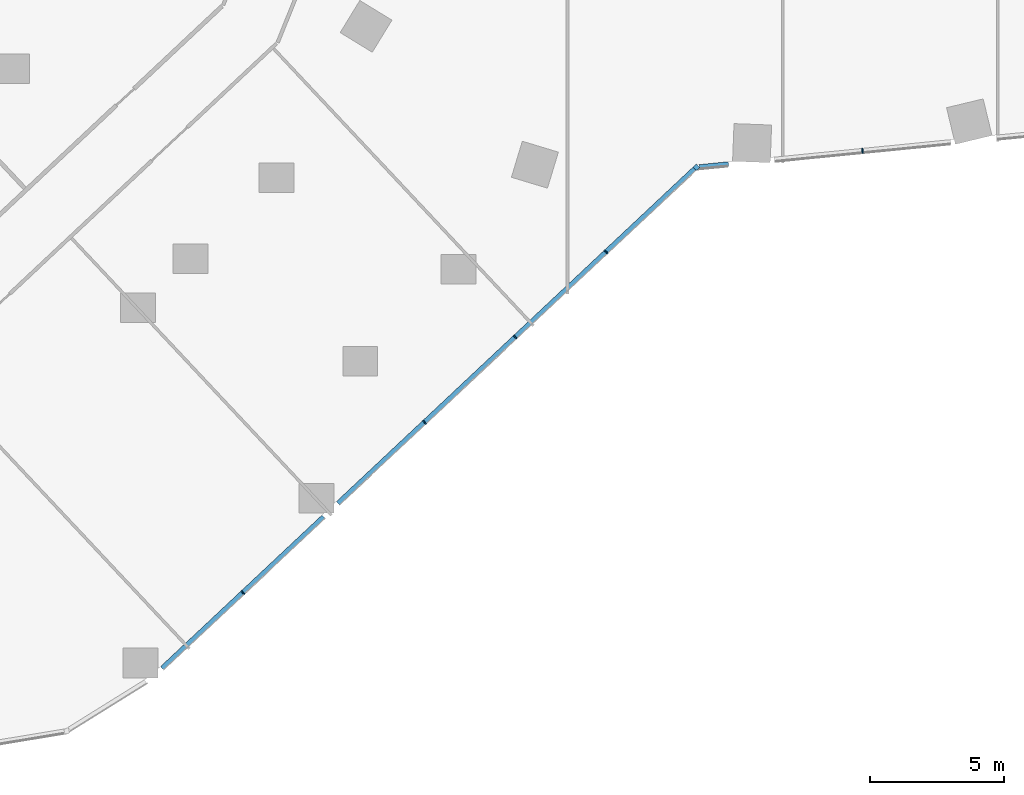
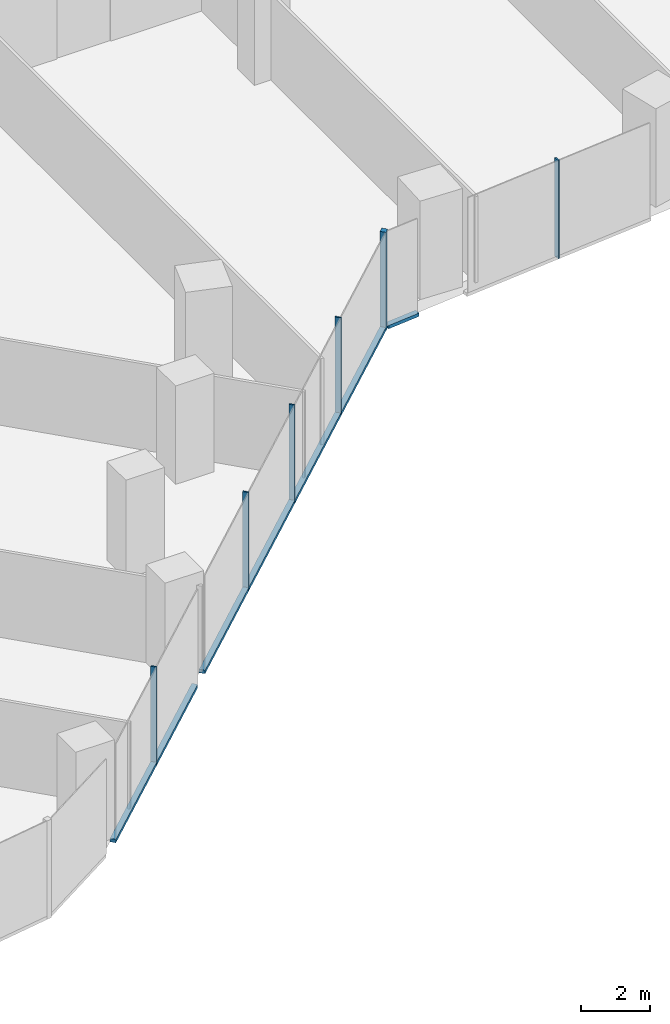
# One storey, part 4 of 34: 9 members, 2 elements without a shape of their own.
"""IFC4 building model written with IfcOpenShell, lengths in metres."""

import ifcopenshell
import ifcopenshell.guid

model = None  # the IFC model being written
_history = None  # IfcOwnerHistory: only IFC2X3 demands one
_inside = {}  # id of a spatial element -> (the spatial element, [elements in it])
_under = {}  # id of a project, library or spatial element -> (it, [spatial elements below it])
_declared = {}  # id of a project -> (the project, [libraries it declares])
_typed = {}  # id of a type object -> (the type object, [elements of that type])
_made_of = {}  # id of a material, layer set ... -> (it, [elements and type objects made of it])


def new_model(schema):
    """Start an empty IFC model of exactly this schema.

    Asked for "IFC4X3", IfcOpenShell would pick the latest addendum, in which some entities
    have other attributes; the version numbers below select the first issue.
    IFC2X3 requires an IfcOwnerHistory on every rooted entity: one is made here for all.
    """
    global model, _history
    if schema == "IFC4X3":
        model = ifcopenshell.file(schema_version=(4, 3, 0, 0))
    else:
        model = ifcopenshell.file(schema=schema)
    _inside.clear()
    _under.clear()
    _declared.clear()
    _typed.clear()
    _made_of.clear()
    _history = None
    if model.schema == "IFC2X3":
        org = make("IfcOrganization", Name="unknown")
        user = make(
            "IfcPersonAndOrganization",
            ThePerson=make("IfcPerson", FamilyName="unknown"),
            TheOrganization=org,
        )
        app = make(
            "IfcApplication",
            ApplicationDeveloper=org,
            Version="unknown",
            ApplicationFullName="unknown",
            ApplicationIdentifier="unknown",
        )
        _history = make(
            "IfcOwnerHistory",
            OwningUser=user,
            OwningApplication=app,
            ChangeAction="ADDED",
            CreationDate=0,
        )
    return model


def make(cls, **values):
    """One entity of the class cls with the attributes given. An attribute that is None is left unset."""
    return model.create_entity(
        cls, **{name: value for name, value in values.items() if value is not None}
    )


def rooted(cls, **values):
    """An entity with a GlobalId (a new one), such as an element, a storey or a relation."""
    return make(cls, GlobalId=ifcopenshell.guid.new(), OwnerHistory=_history, **values)


def si_unit(unit_type, name, prefix=None):
    """IfcSIUnit, for example si_unit("LENGTHUNIT", "METRE", prefix="MILLI")."""
    return make("IfcSIUnit", UnitType=unit_type, Prefix=prefix, Name=name)


def assignment(units):
    """IfcUnitAssignment: the units of a project."""
    return None if units is None else make("IfcUnitAssignment", Units=units)


def point(xyz):
    """IfcCartesianPoint."""
    return None if xyz is None else make("IfcCartesianPoint", Coordinates=xyz)


def direction(xyz):
    """IfcDirection."""
    return None if xyz is None else make("IfcDirection", DirectionRatios=xyz)


def frame(location, z_axis=None, x_axis=None):
    """IfcAxis2Placement3D, a coordinate frame: its origin and axes. An axis left out is left unset."""
    return make(
        "IfcAxis2Placement3D",
        Location=point(location),
        Axis=direction(z_axis),
        RefDirection=direction(x_axis),
    )


def frame_2d(location, x_axis=None):
    """IfcAxis2Placement2D, a coordinate frame in the plane: its origin and x axis."""
    return make(
        "IfcAxis2Placement2D", Location=point(location), RefDirection=direction(x_axis)
    )


def origin():
    """The frame at (0, 0, 0) with its axes left unset."""
    return frame((0.0, 0.0, 0.0))


def origin_2d():
    """The frame at (0, 0) in the plane with its x axis left unset."""
    return frame_2d((0.0, 0.0))


def place(relative_to, where):
    """IfcLocalPlacement: puts the frame where relative to a parent placement (None: the world)."""
    return make(
        "IfcLocalPlacement", PlacementRelTo=relative_to, RelativePlacement=where
    )


def context(
    kind, dimensions, precision=None, world=None, true_north=None, identifier=None
):
    """IfcGeometricRepresentationContext, for example the 3D "Model" context."""
    return make(
        "IfcGeometricRepresentationContext",
        ContextIdentifier=identifier,
        ContextType=kind,
        CoordinateSpaceDimension=dimensions,
        Precision=precision,
        WorldCoordinateSystem=world,
        TrueNorth=true_north,
    )


def subcontext(parent, identifier, kind, view, scale=None):
    """IfcGeometricRepresentationSubContext, for example "Body" below "Model"."""
    return make(
        "IfcGeometricRepresentationSubContext",
        ContextIdentifier=identifier,
        ContextType=kind,
        ParentContext=parent,
        TargetScale=scale,
        TargetView=view,
    )


def project(units=None, contexts=None):
    """IfcProject with its units and contexts."""
    return rooted(
        "IfcProject",
        Name="project",
        RepresentationContexts=contexts,
        UnitsInContext=assignment(units),
    )


def spatial(cls, under=None, at=None, **own):
    """A site, building, storey or space (cls), placed at a placement, below another one or the project."""
    s = rooted(cls, ObjectPlacement=at, **own)
    if under is not None:
        _under.setdefault(under.id(), (under, []))[1].append(s)
    return s


def profile(cls, at=None, kind="AREA", **sizes):
    """A parametric profile (cls). Its sizes go by their IFC names, for example OverallWidth=200.0."""
    return make(cls, ProfileType=kind, Position=at, **sizes)


def rectangle(**sizes):
    """IfcRectangleProfileDef."""
    return profile("IfcRectangleProfileDef", **sizes)


def extrude(swept, where, along, depth):
    """IfcExtrudedAreaSolid: the profile swept, set in the frame where, extruded along a direction by depth."""
    return make(
        "IfcExtrudedAreaSolid",
        SweptArea=swept,
        Position=where,
        ExtrudedDirection=direction(along),
        Depth=depth,
    )


def shape(context_of_items, identifier, shape_type, items):
    """IfcShapeRepresentation: the items that make up one representation, for example the "Body"."""
    return make(
        "IfcShapeRepresentation",
        ContextOfItems=context_of_items,
        RepresentationIdentifier=identifier,
        RepresentationType=shape_type,
        Items=items,
    )


def material(Name=None, Category=None):
    """IfcMaterial."""
    return make("IfcMaterial", Name=Name, Category=Category)


def material_profile(
    of_material, cross_section, Name=None, Category=None, Priority=None
):
    """IfcMaterialProfile: a cross section and its material."""
    return make(
        "IfcMaterialProfile",
        Name=Name,
        Material=of_material,
        Profile=cross_section,
        Priority=Priority,
        Category=Category,
    )


def profile_set(profiles, Name=None, composite=None):
    """IfcMaterialProfileSet."""
    return make(
        "IfcMaterialProfileSet",
        Name=Name,
        MaterialProfiles=profiles,
        CompositeProfile=composite,
    )


def made_of(thing, what):
    """Note that an element or type object is made of a material, layer set ...; save() writes the relation."""
    if what is not None:
        _made_of.setdefault(what.id(), (what, []))[1].append(thing)
    return thing


def type_object(cls, material=None, **own):
    """A type object (cls), such as IfcWallType, which elements share."""
    return made_of(rooted(cls, **own), material)


def element(
    cls,
    number,
    at=None,
    inside=None,
    cuts=None,
    type_object=None,
    material=None,
    context=None,
    identifier="Body",
    shape_type=None,
    held_by="IfcProductDefinitionShape",
    body=None,
    shapes=None,
    **own,
):
    """One element of the class cls, such as IfcWall. Its Tag is "e" and its number.

    at: its placement. inside: the storey or other place that contains it. cuts: it is an
    opening in that element (IfcRelVoidsElement). A single representation is given by context,
    identifier, shape_type and body (its items); several are given by shapes. held_by: the class
    of the entity that holds the representations. save() writes the other relations.
    """
    e = rooted(cls, Tag="e%d" % number, ObjectPlacement=at, **own)
    if body is not None:
        shapes = [shape(context, identifier, shape_type, body)]
    if shapes is not None:
        e.Representation = make(held_by, Representations=shapes)
    if inside is not None:
        _inside.setdefault(inside.id(), (inside, []))[1].append(e)
    if cuts is not None:
        rooted(
            "IfcRelVoidsElement", RelatingBuildingElement=cuts, RelatedOpeningElement=e
        )
    if type_object is not None:
        _typed.setdefault(type_object.id(), (type_object, []))[1].append(e)
    return made_of(e, material)


def aggregate(whole, parts):
    """IfcRelAggregates: a whole, such as a stair, and the parts it consists of."""
    return rooted("IfcRelAggregates", RelatingObject=whole, RelatedObjects=parts)


def save(model, path):
    """Write the relations noted so far, then the file.

    IfcRelAggregates (storeys below a building ...), IfcRelContainedInSpatialStructure (elements
    in a storey), IfcRelDefinesByType, IfcRelAssociatesMaterial and IfcRelDeclares: one each for
    every whole, place, type object, material and project.
    """
    for whole, parts in _under.values():
        aggregate(whole, parts)
    for where, things in _inside.values():
        rooted(
            "IfcRelContainedInSpatialStructure",
            RelatedElements=things,
            RelatingStructure=where,
        )
    for kind, things in _typed.values():
        rooted("IfcRelDefinesByType", RelatedObjects=things, RelatingType=kind)
    for what, things in _made_of.values():
        rooted("IfcRelAssociatesMaterial", RelatedObjects=things, RelatingMaterial=what)
    for by, libraries in _declared.values():
        rooted("IfcRelDeclares", RelatingContext=by, RelatedDefinitions=libraries)
    model.write(path)


model = new_model("IFC4")

# Units and contexts
model_context = context("Model", 3, precision=1e-05, world=origin(), true_north=direction((0.0, 1.0)))
body_context = subcontext(model_context, "Body", "Model", "MODEL_VIEW")
ifc_project = project(units=[si_unit("LENGTHUNIT", "METRE"), si_unit("AREAUNIT", "SQUARE_METRE"), si_unit("VOLUMEUNIT", "CUBIC_METRE"), si_unit("PLANEANGLEUNIT", "RADIAN"), si_unit("MASSUNIT", "GRAM", prefix="KILO")], contexts=[model_context])

# Site, building, storey
site_placement = place(None, origin())
site = spatial("IfcSite", under=ifc_project, at=site_placement, CompositionType="ELEMENT")
building_placement = place(site_placement, origin())
building = spatial("IfcBuilding", under=site, at=building_placement, Name="Orlundy Tower", CompositionType="ELEMENT")
storey_placement = place(building_placement, frame((0.0, 0.0, 47.800048828125)))
storey = spatial("IfcBuildingStorey", under=building, at=storey_placement, Name="L10", CompositionType="ELEMENT", Elevation=47.800048828125)

# Curtain wall, member
ifc_material_1 = material(Name="Aluminium bronze anodised", Category="aluminium")
curtain_wall_type = type_object("IfcCurtainWallType", Name="CW1 wall", PredefinedType="NOTDEFINED", material=ifc_material_1)
curtain_wall_1_placement = place(storey_placement, origin())
curtain_wall_1 = element("IfcCurtainWall", 1, at=curtain_wall_1_placement, inside=storey, type_object=curtain_wall_type, Name="CW1 run 018", PredefinedType="NOTDEFINED")
ifc_material_2 = material(Name="Aluminium bronze anodised", Category="aluminium")
ifc_material_profile_1 = material_profile(ifc_material_2, rectangle(XDim=0.179931640625, YDim=0.179931640625, at=origin_2d()), Name="CW1 corner post 180x180")
ifc_profile_set_1 = profile_set([ifc_material_profile_1], Name="Aluminium bronze anodised")
member_type_1 = type_object("IfcMemberType", Name="CW1 corner post 180x180", PredefinedType="MULLION", material=ifc_profile_set_1)
member_1_placement = place(storey_placement, frame((-3.210693359375, -30.556640625, -0.420166015625), z_axis=(0.0, 0.0, 1.0), x_axis=(0.684124281784, -0.729365455086, 0.0)))
member_1 = element("IfcMember", 2, at=member_1_placement, type_object=member_type_1, Name="CW1 mullion 51", PredefinedType="MULLION", context=body_context, shape_type="SweptSolid", body=[
    extrude(rectangle(XDim=0.179931640625, YDim=0.179931640625, at=origin_2d()), origin(), (0.0, 0.0, 1.0), 3.5),
])

curtain_wall_2_placement = place(storey_placement, origin())
curtain_wall_2 = element("IfcCurtainWall", 3, at=curtain_wall_2_placement, inside=storey, type_object=curtain_wall_type, Name="CW1 run 017", PredefinedType="NOTDEFINED")
ifc_material_3 = material(Name="Aluminium bronze anodised", Category="aluminium")
ifc_material_profile_2 = material_profile(ifc_material_3, rectangle(XDim=0.179931640625, YDim=0.050048828125, at=origin_2d()), Name="CW1 mullion 50x180")
ifc_profile_set_2 = profile_set([ifc_material_profile_2], Name="Aluminium bronze anodised")
member_type_2 = type_object("IfcMemberType", Name="CW1 mullion 50x180", PredefinedType="MULLION", material=ifc_profile_set_2)
member_2_placement = place(storey_placement, frame((2.971435546875, -29.943115234375, -0.420166015625), z_axis=(0.0, 0.0, 1.0), x_axis=(0.098750373279, -0.995112236774, 0.0)))
member_2 = element("IfcMember", 4, at=member_2_placement, type_object=member_type_2, Name="CW1 mullion 50", PredefinedType="MULLION", context=body_context, shape_type="SweptSolid", body=[
    extrude(rectangle(XDim=0.179931640625, YDim=0.050048828125, at=origin_2d()), origin(), (0.0, 0.0, 1.0), 3.5),
])

# Member
member_3_placement = place(storey_placement, frame((-6.56591796875, -33.70361328125, -0.420166015625), z_axis=(0.0, 0.0, 1.0), x_axis=(0.684124281784, -0.729365455086, 0.0)))
member_3 = element("IfcMember", 5, at=member_3_placement, type_object=member_type_2, Name="CW1 mullion 52", PredefinedType="MULLION", context=body_context, shape_type="SweptSolid", body=[
    extrude(rectangle(XDim=0.179931640625, YDim=0.050048828125, at=origin_2d()), origin(), (0.0, 0.0, 1.0), 3.5),
])

member_4_placement = place(storey_placement, frame((-9.943359375, -36.87158203125, -0.420166015625), z_axis=(0.0, 0.0, 1.0), x_axis=(0.684124281784, -0.729365455086, 0.0)))
member_4 = element("IfcMember", 6, at=member_4_placement, type_object=member_type_2, Name="CW1 mullion 53", PredefinedType="MULLION", context=body_context, shape_type="SweptSolid", body=[
    extrude(rectangle(XDim=0.179931640625, YDim=0.050048828125, at=origin_2d()), origin(), (0.0, 0.0, 1.0), 3.5),
])

member_5_placement = place(storey_placement, frame((-13.321044921875, -40.03955078125, -0.420166015625), z_axis=(0.0, 0.0, 1.0), x_axis=(0.684124281784, -0.729365455086, 0.0)))
member_5 = element("IfcMember", 7, at=member_5_placement, type_object=member_type_2, Name="CW1 mullion 54", PredefinedType="MULLION", context=body_context, shape_type="SweptSolid", body=[
    extrude(rectangle(XDim=0.179931640625, YDim=0.050048828125, at=origin_2d()), origin(), (0.0, 0.0, 1.0), 3.5),
])

member_6_placement = place(storey_placement, frame((-20.075927734375, -46.375732421875, -0.420166015625), z_axis=(0.0, 0.0, 1.0), x_axis=(0.684124281784, -0.729365455086, 0.0)))
member_6 = element("IfcMember", 8, at=member_6_placement, type_object=member_type_2, Name="CW1 mullion 56", PredefinedType="MULLION", context=body_context, shape_type="SweptSolid", body=[
    extrude(rectangle(XDim=0.179931640625, YDim=0.050048828125, at=origin_2d()), origin(), (0.0, 0.0, 1.0), 3.5),
])

ifc_material_4 = material(Name="Aluminium bronze anodised", Category="aluminium")
ifc_material_profile_3 = material_profile(ifc_material_4, rectangle(XDim=0.179931640625, YDim=0.1201171875, at=origin_2d()), Name="CW1 transom 180x120")
ifc_profile_set_3 = profile_set([ifc_material_profile_3], Name="Aluminium bronze anodised")
member_type_3 = type_object("IfcMemberType", Name="CW1 transom 180x120", PredefinedType="USERDEFINED", material=ifc_profile_set_3)
member_7_placement = place(storey_placement, frame((-2.0166015625, -30.43798828125, -0.360107421875), z_axis=(-0.99510149276, -0.098858581353, 0.0), x_axis=(0.098858581353, -0.99510149276, 0.0)))
member_7 = element("IfcMember", 9, at=member_7_placement, type_object=member_type_3, Name="CW1 transom", ObjectType="TRANSOM", PredefinedType="USERDEFINED", context=body_context, shape_type="SweptSolid", body=[
    extrude(rectangle(XDim=0.179931640625, YDim=0.1201171875, at=origin_2d()), origin(), (0.0, 0.0, 1.0), 1.086669921875),
])

aggregate(curtain_wall_2, [member_2, member_7])

member_8_placement = place(storey_placement, frame((-3.2763671875, -30.6181640625, -0.360107421875), z_axis=(-0.729371353005, -0.684117993781, 0.0), x_axis=(0.684117993781, -0.729371353005, 0.0)))
member_8 = element("IfcMember", 10, at=member_8_placement, type_object=member_type_3, Name="CW1 transom", ObjectType="TRANSOM", PredefinedType="USERDEFINED", context=body_context, shape_type="SweptSolid", body=[
    extrude(rectangle(XDim=0.179931640625, YDim=0.1201171875, at=origin_2d()), origin(), (0.0, 0.0, 1.0), 18.18115234375),
])

member_9_placement = place(storey_placement, frame((-17.073974609375, -43.56005859375, -0.360107421875), z_axis=(-0.729363270491, -0.68412661084, 0.0), x_axis=(0.68412661084, -0.729363270491, 0.0)))
member_9 = element("IfcMember", 11, at=member_9_placement, type_object=member_type_3, Name="CW1 transom", ObjectType="TRANSOM", PredefinedType="USERDEFINED", context=body_context, shape_type="SweptSolid", body=[
    extrude(rectangle(XDim=0.179931640625, YDim=0.1201171875, at=origin_2d()), origin(), (0.0, 0.0, 1.0), 8.23046875),
])

aggregate(curtain_wall_1, [member_1, member_3, member_4, member_5, member_6, member_8, member_9])

save(model, "model.ifc")
